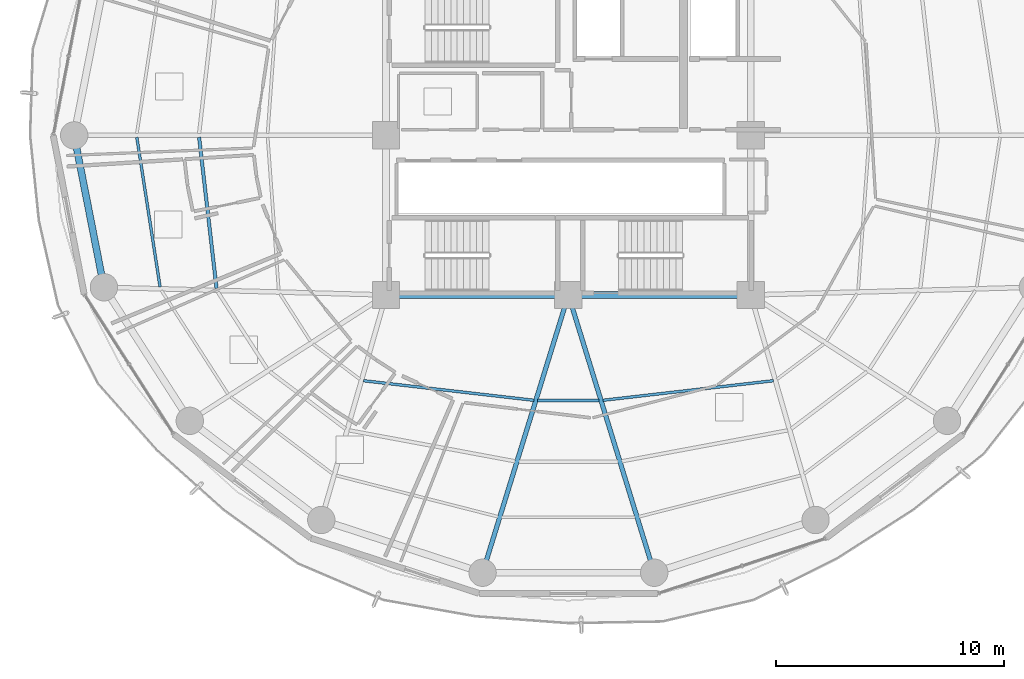
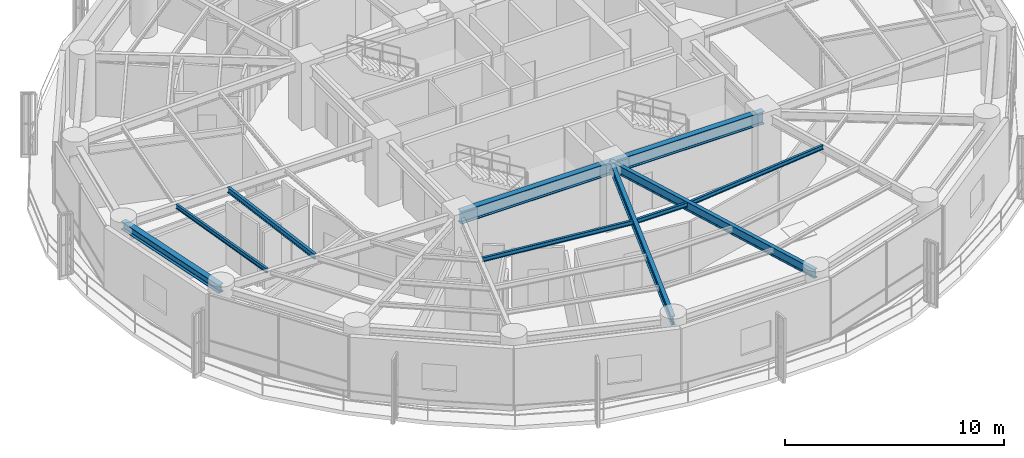
# One storey, part 5 of 27: 10 beams.
"""IFC4 building model written with IfcOpenShell, lengths in metres."""

from ifc_helpers import new_model, si_unit, direction, frame, origin, origin_2d, place, context, subcontext, project, spatial, i_section, extrude, material, material_profile, profile_set, type_object, element, save


model = new_model("IFC4")

# Units and contexts
model_context = context("Model", 3, precision=1e-05, world=origin(), true_north=direction((0.0, 1.0)))
body_context = subcontext(model_context, "Body", "Model", "MODEL_VIEW")
ifc_project = project(units=[si_unit("LENGTHUNIT", "METRE"), si_unit("AREAUNIT", "SQUARE_METRE"), si_unit("VOLUMEUNIT", "CUBIC_METRE"), si_unit("PLANEANGLEUNIT", "RADIAN"), si_unit("MASSUNIT", "GRAM", prefix="KILO")], contexts=[model_context])

# Site, building, storey
site_placement = place(None, origin())
site = spatial("IfcSite", under=ifc_project, at=site_placement, CompositionType="ELEMENT")
building_placement = place(site_placement, origin())
building = spatial("IfcBuilding", under=site, at=building_placement, Name="Kelanora Arch Commons", CompositionType="ELEMENT")
storey_placement = place(building_placement, frame((0.0, 0.0, 150.60009765625)))
storey = spatial("IfcBuildingStorey", under=building, at=storey_placement, Name="L38", CompositionType="ELEMENT", Elevation=150.60009765625)

# Beams
ifc_material = material(Name="Steel S355", Category="steel")
ifc_material_profile_1 = material_profile(ifc_material, i_section(OverallWidth=0.300048828125, OverallDepth=0.699951171875, WebThickness=0.01708984375, FlangeThickness=0.031982421875, FilletRadius=0.027099609375, at=origin_2d()), Name="HEB700")
ifc_profile_set_1 = profile_set([ifc_material_profile_1], Name="Steel S355")
beam_type_1 = type_object("IfcBeamType", Name="BM-CORE-HDR", PredefinedType="BEAM", material=ifc_profile_set_1)
for number, where, z_axis, x_axis, name in (
    (1, (66.0, 51.0, 3.139892578125), (1.0, 0.0, 0.0), (0.0, 1.0, 0.0), "Core Header Beam 01 L38"),
    (2, (74.0, 51.0, 3.139892578125), (1.0, 0.0, 0.0), (0.0, 1.0, 0.0), "Core Header Beam 02 L38"),
):
    element("IfcBeam", number, at=place(storey_placement, frame(where, z_axis=z_axis, x_axis=x_axis)), inside=storey, type_object=beam_type_1, Name=name, PredefinedType="BEAM", context=body_context, shape_type="SweptSolid", body=[
        extrude(i_section(OverallWidth=0.300048828125, OverallDepth=0.699951171875, WebThickness=0.01708984375, FlangeThickness=0.031982421875, FilletRadius=0.027099609375, at=origin_2d()), origin(), (0.0, 0.0, 1.0), 8.0),
    ])
ifc_material_profile_2 = material_profile(ifc_material, i_section(OverallWidth=0.14990234375, OverallDepth=0.300048828125, WebThickness=0.007080078125, FlangeThickness=0.0107421875, FilletRadius=0.014892578125, at=origin_2d()), Name="IPE300")
ifc_profile_set_2 = profile_set([ifc_material_profile_2], Name="Steel S355")
beam_type_2 = type_object("IfcBeamType", Name="BM-JST-01", PredefinedType="JOIST", material=ifc_profile_set_2)
beam_1_placement = place(storey_placement, frame((57.8017578125, 57.91552734375, 3.33984375), z_axis=(0.114667159005, -0.9934039675, 0.0), x_axis=(0.9934039675, 0.114667159005, 0.0)))
element("IfcBeam", 3, at=beam_1_placement, inside=storey, type_object=beam_type_2, Name="Secondary Chord Joist BJB-18 L38", PredefinedType="JOIST", context=body_context, shape_type="SweptSolid", body=[
    extrude(i_section(OverallWidth=0.14990234375, OverallDepth=0.300048828125, WebThickness=0.007080078125, FlangeThickness=0.0107421875, FilletRadius=0.014892578125, at=origin_2d()), origin(), (0.0, 0.0, 1.0), 6.672607421875),
])
ifc_material_profile_3 = material_profile(ifc_material, i_section(OverallWidth=0.1201171875, OverallDepth=0.239990234375, WebThickness=0.006103515625, FlangeThickness=0.009765625, FilletRadius=0.014892578125, at=origin_2d()), Name="IPE240")
ifc_profile_set_3 = profile_set([ifc_material_profile_3], Name="Steel S355")
beam_type_3 = type_object("IfcBeamType", Name="BM-JST-02", PredefinedType="JOIST", material=ifc_profile_set_3)
beam_2_placement = place(storey_placement, frame((55.069091796875, 57.916015625, 3.369873046875), z_axis=(0.153562625853, -0.988138917329, 0.0), x_axis=(0.988138917329, 0.153562625853, 0.0)))
element("IfcBeam", 4, at=beam_2_placement, inside=storey, type_object=beam_type_3, Name="Secondary Chord Joist BJC-18 L38", PredefinedType="JOIST", context=body_context, shape_type="SweptSolid", body=[
    extrude(i_section(OverallWidth=0.1201171875, OverallDepth=0.239990234375, WebThickness=0.006103515625, FlangeThickness=0.009765625, FilletRadius=0.014892578125, at=origin_2d()), origin(), (0.0, 0.0, 1.0), 6.640869140625),
])
beam_3_placement = place(storey_placement, frame((65.005126953125, 47.239501953125, 3.369873046875), z_axis=(0.993457414184, -0.114203179475, 0.0), x_axis=(0.114203179475, 0.993457414184, 0.0)))
element("IfcBeam", 5, at=beam_3_placement, inside=storey, type_object=beam_type_3, Name="Secondary Chord Joist BJA-24 L38", PredefinedType="JOIST", context=body_context, shape_type="SweptSolid", body=[
    extrude(i_section(OverallWidth=0.1201171875, OverallDepth=0.239990234375, WebThickness=0.006103515625, FlangeThickness=0.009765625, FilletRadius=0.014892578125, at=origin_2d()), origin(), (0.0, 0.0, 1.0), 7.529296875),
])
beam_4_placement = place(storey_placement, frame((72.654296875, 46.3701171875, 3.369873046875), z_axis=(1.0, 0.0, 0.0), x_axis=(0.0, 1.0, 0.0)))
element("IfcBeam", 6, at=beam_4_placement, inside=storey, type_object=beam_type_3, Name="Secondary Chord Joist BJA-26 L38", PredefinedType="JOIST", context=body_context, shape_type="SweptSolid", body=[
    extrude(i_section(OverallWidth=0.1201171875, OverallDepth=0.239990234375, WebThickness=0.006103515625, FlangeThickness=0.009765625, FilletRadius=0.014892578125, at=origin_2d()), origin(), (0.0, 0.0, 1.0), 2.69140625),
])
beam_5_placement = place(storey_placement, frame((75.514892578125, 46.379638671875, 3.369873046875), z_axis=(0.993457414184, 0.114203179475, 0.0), x_axis=(-0.114203179475, 0.993457414184, 0.0)))
element("IfcBeam", 7, at=beam_5_placement, inside=storey, type_object=beam_type_3, Name="Secondary Chord Joist BJA-28 L38", PredefinedType="JOIST", context=body_context, shape_type="SweptSolid", body=[
    extrude(i_section(OverallWidth=0.1201171875, OverallDepth=0.239990234375, WebThickness=0.006103515625, FlangeThickness=0.009765625, FilletRadius=0.014892578125, at=origin_2d()), origin(), (0.0, 0.0, 1.0), 7.529296875),
])
ifc_material_profile_4 = material_profile(ifc_material, i_section(OverallWidth=0.199951171875, OverallDepth=0.5, WebThickness=0.01025390625, FlangeThickness=0.01611328125, FilletRadius=0.02099609375, at=origin_2d()), Name="IPE500")
ifc_profile_set_4 = profile_set([ifc_material_profile_4], Name="Steel S355")
beam_type_4 = type_object("IfcBeamType", Name="BM-RAD-Z3", PredefinedType="BEAM", material=ifc_profile_set_4)
for number, where, z_axis, x_axis, name in (
    (8, (74.0, 51.0, 3.239990234375), (-0.295210315095, -0.955432294755, 0.0), (0.955432294755, -0.295210315095, 0.0), "Radial Floor Girder BR-26 L38"),
    (9, (74.0, 51.0, 3.239990234375), (0.295210315095, -0.955432294755, 0.0), (0.955432294755, 0.295210315095, 0.0), "Radial Floor Girder BR-28 L38"),
):
    element("IfcBeam", number, at=place(storey_placement, frame(where, z_axis=z_axis, x_axis=x_axis)), inside=storey, type_object=beam_type_4, Name=name, PredefinedType="BEAM", context=body_context, shape_type="SweptSolid", body=[
        extrude(i_section(OverallWidth=0.199951171875, OverallDepth=0.5, WebThickness=0.01025390625, FlangeThickness=0.01611328125, FilletRadius=0.02099609375, at=origin_2d()), origin(), (0.0, 0.0, 1.0), 12.75244140625),
    ])
ifc_material_profile_5 = material_profile(ifc_material, i_section(OverallWidth=0.300048828125, OverallDepth=0.449951171875, WebThickness=0.013916015625, FlangeThickness=0.02587890625, FilletRadius=0.027099609375, at=origin_2d()), Name="HEB450")
ifc_profile_set_5 = profile_set([ifc_material_profile_5], Name="Steel S355")
beam_type_5 = type_object("IfcBeamType", Name="BM-SPN-Z3", PredefinedType="SPANDREL", material=ifc_profile_set_5)
beam_6_placement = place(storey_placement, frame((52.320068359375, 58.0, 3.264892578125), z_axis=(0.192553643556, -0.981286448675, 0.0), x_axis=(0.981286448675, 0.192553643556, 0.0)))
element("IfcBeam", 10, at=beam_6_placement, inside=storey, type_object=beam_type_5, Name="Perimeter Spandrel Beam BS-18 L38", PredefinedType="SPANDREL", context=body_context, shape_type="SweptSolid", body=[
    extrude(i_section(OverallWidth=0.300048828125, OverallDepth=0.449951171875, WebThickness=0.013916015625, FlangeThickness=0.02587890625, FilletRadius=0.027099609375, at=origin_2d()), origin(), (0.0, 0.0, 1.0), 6.78955078125),
])

save(model, "model.ifc")
